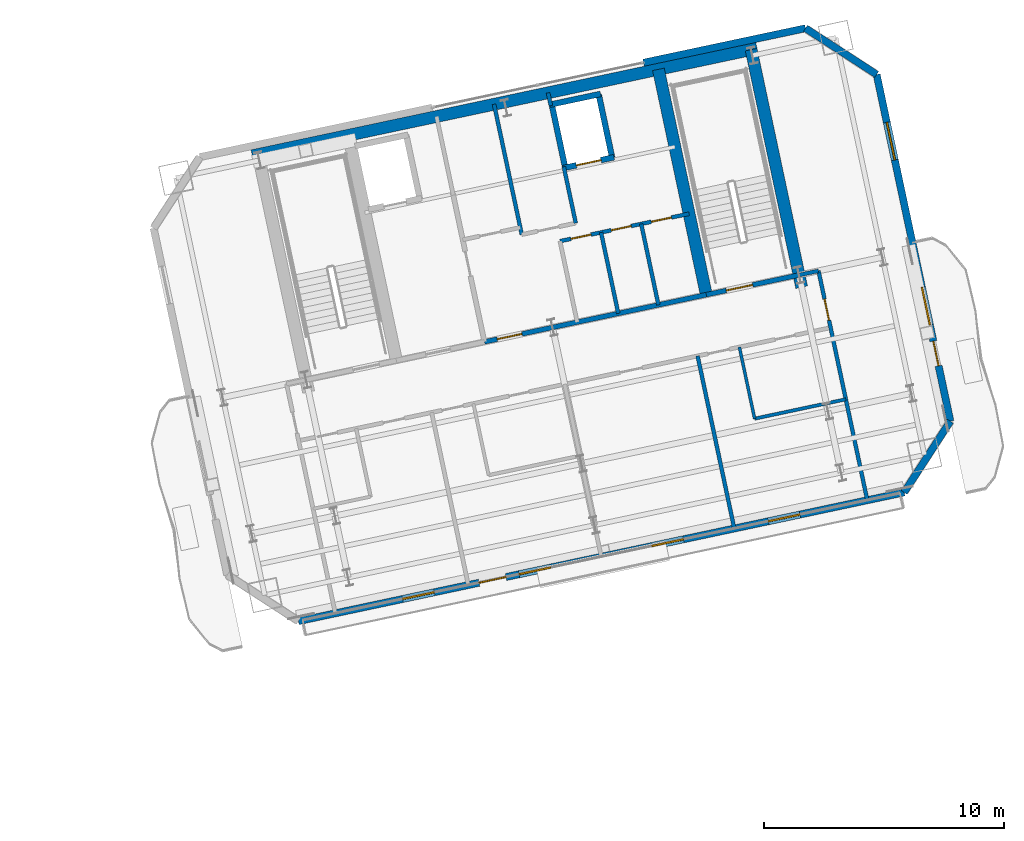
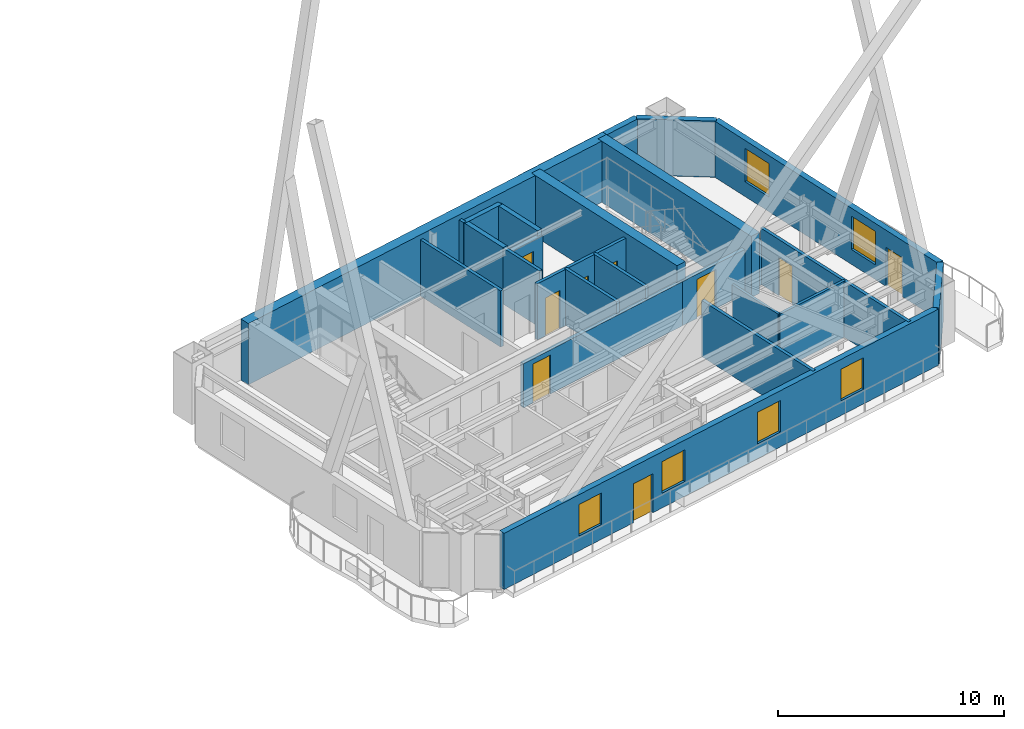
# One storey, part 14 of 20: 25 walls, 9 doors, 6 windows, 15 openings.
"""IFC4 building model written with IfcOpenShell, lengths in metres."""

import ifcopenshell
import ifcopenshell.guid

model = None  # the IFC model being written
_history = None  # IfcOwnerHistory: only IFC2X3 demands one
_inside = {}  # id of a spatial element -> (the spatial element, [elements in it])
_under = {}  # id of a project, library or spatial element -> (it, [spatial elements below it])
_declared = {}  # id of a project -> (the project, [libraries it declares])
_typed = {}  # id of a type object -> (the type object, [elements of that type])
_made_of = {}  # id of a material, layer set ... -> (it, [elements and type objects made of it])


def new_model(schema):
    """Start an empty IFC model of exactly this schema.

    Asked for "IFC4X3", IfcOpenShell would pick the latest addendum, in which some entities
    have other attributes; the version numbers below select the first issue.
    IFC2X3 requires an IfcOwnerHistory on every rooted entity: one is made here for all.
    """
    global model, _history
    if schema == "IFC4X3":
        model = ifcopenshell.file(schema_version=(4, 3, 0, 0))
    else:
        model = ifcopenshell.file(schema=schema)
    _inside.clear()
    _under.clear()
    _declared.clear()
    _typed.clear()
    _made_of.clear()
    _history = None
    if model.schema == "IFC2X3":
        org = make("IfcOrganization", Name="unknown")
        user = make(
            "IfcPersonAndOrganization",
            ThePerson=make("IfcPerson", FamilyName="unknown"),
            TheOrganization=org,
        )
        app = make(
            "IfcApplication",
            ApplicationDeveloper=org,
            Version="unknown",
            ApplicationFullName="unknown",
            ApplicationIdentifier="unknown",
        )
        _history = make(
            "IfcOwnerHistory",
            OwningUser=user,
            OwningApplication=app,
            ChangeAction="ADDED",
            CreationDate=0,
        )
    return model


def make(cls, **values):
    """One entity of the class cls with the attributes given. An attribute that is None is left unset."""
    return model.create_entity(
        cls, **{name: value for name, value in values.items() if value is not None}
    )


def rooted(cls, **values):
    """An entity with a GlobalId (a new one), such as an element, a storey or a relation."""
    return make(cls, GlobalId=ifcopenshell.guid.new(), OwnerHistory=_history, **values)


def si_unit(unit_type, name, prefix=None):
    """IfcSIUnit, for example si_unit("LENGTHUNIT", "METRE", prefix="MILLI")."""
    return make("IfcSIUnit", UnitType=unit_type, Prefix=prefix, Name=name)


def assignment(units):
    """IfcUnitAssignment: the units of a project."""
    return None if units is None else make("IfcUnitAssignment", Units=units)


def point(xyz):
    """IfcCartesianPoint."""
    return None if xyz is None else make("IfcCartesianPoint", Coordinates=xyz)


def direction(xyz):
    """IfcDirection."""
    return None if xyz is None else make("IfcDirection", DirectionRatios=xyz)


def frame(location, z_axis=None, x_axis=None):
    """IfcAxis2Placement3D, a coordinate frame: its origin and axes. An axis left out is left unset."""
    return make(
        "IfcAxis2Placement3D",
        Location=point(location),
        Axis=direction(z_axis),
        RefDirection=direction(x_axis),
    )


def frame_2d(location, x_axis=None):
    """IfcAxis2Placement2D, a coordinate frame in the plane: its origin and x axis."""
    return make(
        "IfcAxis2Placement2D", Location=point(location), RefDirection=direction(x_axis)
    )


def origin():
    """The frame at (0, 0, 0) with its axes left unset."""
    return frame((0.0, 0.0, 0.0))


def place(relative_to, where):
    """IfcLocalPlacement: puts the frame where relative to a parent placement (None: the world)."""
    return make(
        "IfcLocalPlacement", PlacementRelTo=relative_to, RelativePlacement=where
    )


def context(
    kind, dimensions, precision=None, world=None, true_north=None, identifier=None
):
    """IfcGeometricRepresentationContext, for example the 3D "Model" context."""
    return make(
        "IfcGeometricRepresentationContext",
        ContextIdentifier=identifier,
        ContextType=kind,
        CoordinateSpaceDimension=dimensions,
        Precision=precision,
        WorldCoordinateSystem=world,
        TrueNorth=true_north,
    )


def subcontext(parent, identifier, kind, view, scale=None):
    """IfcGeometricRepresentationSubContext, for example "Body" below "Model"."""
    return make(
        "IfcGeometricRepresentationSubContext",
        ContextIdentifier=identifier,
        ContextType=kind,
        ParentContext=parent,
        TargetScale=scale,
        TargetView=view,
    )


def project(units=None, contexts=None):
    """IfcProject with its units and contexts."""
    return rooted(
        "IfcProject",
        Name="project",
        RepresentationContexts=contexts,
        UnitsInContext=assignment(units),
    )


def spatial(cls, under=None, at=None, **own):
    """A site, building, storey or space (cls), placed at a placement, below another one or the project."""
    s = rooted(cls, ObjectPlacement=at, **own)
    if under is not None:
        _under.setdefault(under.id(), (under, []))[1].append(s)
    return s


def profile(cls, at=None, kind="AREA", **sizes):
    """A parametric profile (cls). Its sizes go by their IFC names, for example OverallWidth=200.0."""
    return make(cls, ProfileType=kind, Position=at, **sizes)


def rectangle(**sizes):
    """IfcRectangleProfileDef."""
    return profile("IfcRectangleProfileDef", **sizes)


def extrude(swept, where, along, depth):
    """IfcExtrudedAreaSolid: the profile swept, set in the frame where, extruded along a direction by depth."""
    return make(
        "IfcExtrudedAreaSolid",
        SweptArea=swept,
        Position=where,
        ExtrudedDirection=direction(along),
        Depth=depth,
    )


def shape(context_of_items, identifier, shape_type, items):
    """IfcShapeRepresentation: the items that make up one representation, for example the "Body"."""
    return make(
        "IfcShapeRepresentation",
        ContextOfItems=context_of_items,
        RepresentationIdentifier=identifier,
        RepresentationType=shape_type,
        Items=items,
    )


def material(Name=None, Category=None):
    """IfcMaterial."""
    return make("IfcMaterial", Name=Name, Category=Category)


def layer(
    of_material, thickness, ventilated=None, Name=None, Category=None, Priority=None
):
    """IfcMaterialLayer: one layer of a wall or slab, of a material (None: an air gap)."""
    return make(
        "IfcMaterialLayer",
        Material=of_material,
        LayerThickness=thickness,
        IsVentilated=ventilated,
        Name=Name,
        Category=Category,
        Priority=Priority,
    )


def layer_set(layers, Name=None):
    """IfcMaterialLayerSet."""
    return make("IfcMaterialLayerSet", MaterialLayers=layers, LayerSetName=Name)


def made_of(thing, what):
    """Note that an element or type object is made of a material, layer set ...; save() writes the relation."""
    if what is not None:
        _made_of.setdefault(what.id(), (what, []))[1].append(thing)
    return thing


def type_object(cls, material=None, **own):
    """A type object (cls), such as IfcWallType, which elements share."""
    return made_of(rooted(cls, **own), material)


def element(
    cls,
    number,
    at=None,
    inside=None,
    cuts=None,
    type_object=None,
    material=None,
    context=None,
    identifier="Body",
    shape_type=None,
    held_by="IfcProductDefinitionShape",
    body=None,
    shapes=None,
    **own,
):
    """One element of the class cls, such as IfcWall. Its Tag is "e" and its number.

    at: its placement. inside: the storey or other place that contains it. cuts: it is an
    opening in that element (IfcRelVoidsElement). A single representation is given by context,
    identifier, shape_type and body (its items); several are given by shapes. held_by: the class
    of the entity that holds the representations. save() writes the other relations.
    """
    e = rooted(cls, Tag="e%d" % number, ObjectPlacement=at, **own)
    if body is not None:
        shapes = [shape(context, identifier, shape_type, body)]
    if shapes is not None:
        e.Representation = make(held_by, Representations=shapes)
    if inside is not None:
        _inside.setdefault(inside.id(), (inside, []))[1].append(e)
    if cuts is not None:
        rooted(
            "IfcRelVoidsElement", RelatingBuildingElement=cuts, RelatedOpeningElement=e
        )
    if type_object is not None:
        _typed.setdefault(type_object.id(), (type_object, []))[1].append(e)
    return made_of(e, material)


def fill(opening, filler):
    """IfcRelFillsElement: the door or window that sits in an opening."""
    return rooted(
        "IfcRelFillsElement",
        RelatingOpeningElement=opening,
        RelatedBuildingElement=filler,
    )


def aggregate(whole, parts):
    """IfcRelAggregates: a whole, such as a stair, and the parts it consists of."""
    return rooted("IfcRelAggregates", RelatingObject=whole, RelatedObjects=parts)


def save(model, path):
    """Write the relations noted so far, then the file.

    IfcRelAggregates (storeys below a building ...), IfcRelContainedInSpatialStructure (elements
    in a storey), IfcRelDefinesByType, IfcRelAssociatesMaterial and IfcRelDeclares: one each for
    every whole, place, type object, material and project.
    """
    for whole, parts in _under.values():
        aggregate(whole, parts)
    for where, things in _inside.values():
        rooted(
            "IfcRelContainedInSpatialStructure",
            RelatedElements=things,
            RelatingStructure=where,
        )
    for kind, things in _typed.values():
        rooted("IfcRelDefinesByType", RelatedObjects=things, RelatingType=kind)
    for what, things in _made_of.values():
        rooted("IfcRelAssociatesMaterial", RelatedObjects=things, RelatingMaterial=what)
    for by, libraries in _declared.values():
        rooted("IfcRelDeclares", RelatingContext=by, RelatedDefinitions=libraries)
    model.write(path)


model = new_model("IFC4")

# Units and contexts
model_context = context("Model", 3, precision=1e-05, world=origin(), true_north=direction((0.0, 1.0)))
body_context = subcontext(model_context, "Body", "Model", "MODEL_VIEW")
ifc_project = project(units=[si_unit("LENGTHUNIT", "METRE"), si_unit("AREAUNIT", "SQUARE_METRE"), si_unit("VOLUMEUNIT", "CUBIC_METRE"), si_unit("PLANEANGLEUNIT", "RADIAN"), si_unit("MASSUNIT", "GRAM", prefix="KILO")], contexts=[model_context])

# Site, building, storey
site_placement = place(None, origin())
site = spatial("IfcSite", under=ifc_project, at=site_placement, CompositionType="ELEMENT")
building_placement = place(site_placement, origin())
building = spatial("IfcBuilding", under=site, at=building_placement, Name="Haevon Station Towers", CompositionType="ELEMENT")
storey_placement = place(building_placement, frame((0.0, 0.0, 175.800048828125)))
storey = spatial("IfcBuildingStorey", under=building, at=storey_placement, Name="L48", CompositionType="ELEMENT", Elevation=175.800048828125)

# Wall, opening, door
ifc_material_1 = material(Name="Gypsum board on steel stud", Category="steel")
ifc_layer_1 = layer(ifc_material_1, 0.199951171875)
ifc_layer_set_1 = layer_set([ifc_layer_1], Name="Gypsum board on steel stud")
wall_type_1 = type_object("IfcWallType", Name="WL-COR200", PredefinedType="PARTITIONING", material=ifc_layer_set_1)
wall_1_placement = place(storey_placement, frame((115.4296875, 40.9873046875, 0.0), z_axis=(0.0, 0.0, 1.0), x_axis=(0.978146596989, 0.207916413008, 0.0)))
wall_1 = element("IfcWall", 1, at=wall_1_placement, inside=storey, type_object=wall_type_1, Name="WL-ST-ST4-L48", PredefinedType="PARTITIONING", context=body_context, shape_type="SweptSolid", body=[
    extrude(rectangle(XDim=3.9501953125, YDim=0.199951171875, at=frame_2d((1.97509765625, 0.0))), origin(), (0.0, 0.0, 1.0), 2.3798828125),
])
opening_1_placement = place(wall_1_placement, frame((0.85009765625, 0.0, 0.0)))
opening_1 = element("IfcOpeningElement", 2, at=opening_1_placement, cuts=wall_1, Name="Opening DR-ST-ST4-L48", PredefinedType="OPENING", context=body_context, shape_type="SweptSolid", body=[
    extrude(rectangle(XDim=1.1201171875, YDim=2.10009765625, at=frame_2d((0.56005859375, 1.050048828125))), frame((0.0, 0.10986328125, 0.0), z_axis=(0.0, -1.0, 0.0), x_axis=(1.0, 0.0, 0.0)), (0.0, 0.0, 1.0), 0.219970703125),
])
ifc_material_2 = material(Name="Engineered oak timber", Category="wood")
door_type_1 = type_object("IfcDoorType", Name="DR-ST-1120", OperationType="NOTDEFINED", PredefinedType="DOOR", material=ifc_material_2)
door_1_placement = place(opening_1_placement, origin())
door_1 = element("IfcDoor", 3, at=door_1_placement, inside=storey, type_object=door_type_1, Name="L48 Escape Stair ST4 Fire Door", OperationType="SINGLE_SWING_RIGHT", OverallHeight=2.10009765625, OverallWidth=1.1201171875, PredefinedType="DOOR", context=body_context, shape_type="SweptSolid", body=[
    extrude(rectangle(XDim=1.1201171875, YDim=2.10009765625, at=frame_2d((0.56005859375, 1.050048828125))), frame((0.0, 0.02490234375, 0.0), z_axis=(0.0, -1.0, 0.0), x_axis=(1.0, 0.0, 0.0)), (0.0, 0.0, 1.0), 0.050048828125),
])
fill(opening_1, door_1)

wall_2_placement = place(storey_placement, frame((106.186279296875, 39.0224609375, 0.0), z_axis=(0.0, 0.0, 1.0), x_axis=(0.978145519981, 0.20792147975, 0.0)))
wall_2 = element("IfcWall", 4, at=wall_2_placement, inside=storey, type_object=wall_type_1, Name="WL-T2CLB-L48", PredefinedType="PARTITIONING", context=body_context, shape_type="SweptSolid", body=[
    extrude(rectangle(XDim=9.449951171875, YDim=0.199951171875, at=frame_2d((4.72509765625, 0.0))), origin(), (0.0, 0.0, 1.0), 2.3798828125),
])
opening_2_placement = place(wall_2_placement, frame((0.550048828125, 0.0, 0.0)))
opening_2 = element("IfcOpeningElement", 5, at=opening_2_placement, cuts=wall_2, Name="Opening DR-T2CLB-L48-1", PredefinedType="OPENING", context=body_context, shape_type="SweptSolid", body=[
    extrude(rectangle(XDim=1.050048828125, YDim=2.10009765625, at=frame_2d((0.52490234375, 1.050048828125))), frame((0.0, 0.10986328125, 0.0), z_axis=(0.0, -1.0, 0.0), x_axis=(1.0, 0.0, 0.0)), (0.0, 0.0, 1.0), 0.219970703125),
])
door_type_2 = type_object("IfcDoorType", Name="DR-FD60-1050", OperationType="NOTDEFINED", PredefinedType="DOOR", material=ifc_material_2)
door_2_placement = place(opening_2_placement, origin())
door_2 = element("IfcDoor", 6, at=door_2_placement, inside=storey, type_object=door_type_2, Name="L48 Tower 2 Core Lift Lobby Door 1", OperationType="SINGLE_SWING_LEFT", OverallHeight=2.10009765625, OverallWidth=1.050048828125, PredefinedType="DOOR", context=body_context, shape_type="SweptSolid", body=[
    extrude(rectangle(XDim=1.050048828125, YDim=2.10009765625, at=frame_2d((0.52490234375, 1.050048828125))), frame((0.0, 0.02490234375, 0.0), z_axis=(0.0, -1.0, 0.0), x_axis=(1.0, 0.0, 0.0)), (0.0, 0.0, 1.0), 0.050048828125),
])
fill(opening_2, door_2)

# Walls
ifc_material_3 = material(Name="Concrete C60/75", Category="concrete")
ifc_layer_2 = layer(ifc_material_3, 0.5)
ifc_layer_set_2 = layer_set([ifc_layer_2], Name="Concrete C60/75")
wall_type_2 = type_object("IfcWallType", Name="WL-CR500", PredefinedType="SHEAR", material=ifc_layer_set_2)
wall_3_placement = place(storey_placement, frame((96.511962890625, 46.78076171875, 0.0), z_axis=(0.0, 0.0, 1.0), x_axis=(0.978148546782, 0.207907239961, 0.0)))
element("IfcWall", 7, at=wall_3_placement, inside=storey, type_object=wall_type_2, Name="WL-T2CR-L48-N", PredefinedType="SHEAR", context=body_context, shape_type="SweptSolid", body=[
    extrude(rectangle(XDim=21.499755859375, YDim=0.5, at=frame_2d((10.75, 0.0))), origin(), (0.0, 0.0, 1.0), 3.300048828125),
])
wall_4_placement = place(storey_placement, frame((119.401611328125, 41.2998046875, 0.0), z_axis=(0.0, 0.0, 1.0), x_axis=(-0.207904342798, 0.978149162575, 0.0)))
element("IfcWall", 8, at=wall_4_placement, inside=storey, type_object=wall_type_2, Name="WL-T2CR-L48-E", PredefinedType="SHEAR", context=body_context, shape_type="SweptSolid", body=[
    extrude(rectangle(XDim=10.1201171875, YDim=0.5, at=frame_2d((5.06005859375, 0.0))), origin(), (0.0, 0.0, 1.0), 3.300048828125),
])
wall_5_placement = place(storey_placement, frame((115.4296875, 40.9873046875, 0.0), z_axis=(0.0, 0.0, 1.0), x_axis=(-0.207903162969, 0.978149413345, 0.0)))
element("IfcWall", 9, at=wall_5_placement, inside=storey, type_object=wall_type_2, Name="WL-T2CR-L48-M2", PredefinedType="SHEAR", context=body_context, shape_type="SweptSolid", body=[
    extrude(rectangle(XDim=9.599853515625, YDim=0.5, at=frame_2d((4.7998046875, 0.0))), origin(), (0.0, 0.0, 1.0), 3.300048828125),
])

# Wall, openings, door, windows
ifc_material_4 = material(Name="Precast concrete C45/55", Category="concrete")
ifc_layer_3 = layer(ifc_material_4, 0.300048828125)
ifc_layer_set_3 = layer_set([ifc_layer_3], Name="Precast concrete C45/55")
wall_type_3 = type_object("IfcWallType", Name="WL-EXT-PIER300", PredefinedType="SOLIDWALL", material=ifc_layer_set_3)
wall_6_placement = place(storey_placement, frame((123.67236328125, 32.7509765625, 0.0), z_axis=(0.0, 0.0, 1.0), x_axis=(-0.978148652743, -0.207906741442, 0.0)))
wall_6 = element("IfcWall", 10, at=wall_6_placement, inside=storey, type_object=wall_type_3, Name="WL-T2-L48-S", PredefinedType="SOLIDWALL", context=body_context, shape_type="SweptSolid", body=[
    extrude(rectangle(XDim=25.800048828125, YDim=0.300048828125, at=frame_2d((12.89990234375, 0.0))), origin(), (0.0, 0.0, 1.0), 3.030029296875),
])
opening_3_placement = place(wall_6_placement, frame((16.957763671875, 0.0, 0.0)))
opening_3 = element("IfcOpeningElement", 11, at=opening_3_placement, cuts=wall_6, Name="Opening DR-T2-SKYG-L48", PredefinedType="OPENING", context=body_context, shape_type="SweptSolid", body=[
    extrude(rectangle(XDim=1.14990234375, YDim=2.10009765625, at=frame_2d((0.574951171875, 1.050048828125))), frame((0.0, 0.159912109375, 0.0), z_axis=(0.0, -1.0, 0.0), x_axis=(1.0, 0.0, 0.0)), (0.0, 0.0, 1.0), 0.320068359375),
])
opening_4_placement = place(wall_6_placement, frame((20.011474609375, 0.0, 0.800048828125)))
opening_4 = element("IfcOpeningElement", 12, at=opening_4_placement, cuts=wall_6, Name="Opening WN-P135", PredefinedType="OPENING", context=body_context, shape_type="SweptSolid", body=[
    extrude(rectangle(XDim=1.35009765625, YDim=1.699951171875, at=frame_2d((0.675048828125, 0.85009765625))), frame((0.0, 0.159912109375, 0.0), z_axis=(0.0, -1.0, 0.0), x_axis=(1.0, 0.0, 0.0)), (0.0, 0.0, 1.0), 0.320068359375),
])
opening_5_placement = place(wall_6_placement, frame((15.0576171875, 0.0, 0.800048828125)))
opening_5 = element("IfcOpeningElement", 13, at=opening_5_placement, cuts=wall_6, Name="Opening WN-P135", PredefinedType="OPENING", context=body_context, shape_type="SweptSolid", body=[
    extrude(rectangle(XDim=1.35009765625, YDim=1.699951171875, at=frame_2d((0.675048828125, 0.85009765625))), frame((0.0, 0.159912109375, 0.0), z_axis=(0.0, -1.0, 0.0), x_axis=(1.0, 0.0, 0.0)), (0.0, 0.0, 1.0), 0.320068359375),
])
opening_6_placement = place(wall_6_placement, frame((9.392578125, 0.0, 0.800048828125)))
opening_6 = element("IfcOpeningElement", 14, at=opening_6_placement, cuts=wall_6, Name="Opening WN-P135", PredefinedType="OPENING", context=body_context, shape_type="SweptSolid", body=[
    extrude(rectangle(XDim=1.35009765625, YDim=1.699951171875, at=frame_2d((0.675048828125, 0.85009765625))), frame((0.0, 0.159912109375, 0.0), z_axis=(0.0, -1.0, 0.0), x_axis=(1.0, 0.0, 0.0)), (0.0, 0.0, 1.0), 0.320068359375),
])
opening_7_placement = place(wall_6_placement, frame((4.4384765625, 0.0, 0.800048828125)))
opening_7 = element("IfcOpeningElement", 15, at=opening_7_placement, cuts=wall_6, Name="Opening WN-P135", PredefinedType="OPENING", context=body_context, shape_type="SweptSolid", body=[
    extrude(rectangle(XDim=1.35009765625, YDim=1.699951171875, at=frame_2d((0.675048828125, 0.85009765625))), frame((0.0, 0.159912109375, 0.0), z_axis=(0.0, -1.0, 0.0), x_axis=(1.0, 0.0, 0.0)), (0.0, 0.0, 1.0), 0.320068359375),
])
ifc_material_5 = material(Name="Thermally broken anodised aluminium and laminated safety glass", Category="aluminium")
door_type_3 = type_object("IfcDoorType", Name="DR-BALC-1150", OperationType="NOTDEFINED", PredefinedType="DOOR", material=ifc_material_5)
door_3_placement = place(opening_3_placement, origin())
door_3 = element("IfcDoor", 16, at=door_3_placement, inside=storey, type_object=door_type_3, Name="Tower 2 L48 Sky Garden Terrace Door", OperationType="SINGLE_SWING_RIGHT", OverallHeight=2.10009765625, OverallWidth=1.14990234375, PredefinedType="DOOR", context=body_context, shape_type="SweptSolid", body=[
    extrude(rectangle(XDim=1.14990234375, YDim=2.10009765625, at=frame_2d((0.574951171875, 1.050048828125))), frame((0.0, 0.02490234375, 0.0), z_axis=(0.0, -1.0, 0.0), x_axis=(1.0, 0.0, 0.0)), (0.0, 0.0, 1.0), 0.050048828125),
])
fill(opening_3, door_3)
ifc_material_6 = material(Name="Low-E triple glazing in thermally broken aluminium", Category="aluminium")
window_type_1 = type_object("IfcWindowType", Name="WN-P135", PartitioningType="SINGLE_PANEL", PredefinedType="WINDOW", material=ifc_material_6)
window_1_placement = place(opening_4_placement, origin())
window_1 = element("IfcWindow", 17, at=window_1_placement, inside=storey, type_object=window_type_1, Name="WN-T2-L48-S01", OverallHeight=1.699951171875, OverallWidth=1.35009765625, PartitioningType="SINGLE_PANEL", PredefinedType="WINDOW", context=body_context, shape_type="SweptSolid", body=[
    extrude(rectangle(XDim=1.35009765625, YDim=1.699951171875, at=frame_2d((0.675048828125, 0.85009765625))), frame((0.0, 0.030029296875, 0.0), z_axis=(0.0, -1.0, 0.0), x_axis=(1.0, 0.0, 0.0)), (0.0, 0.0, 1.0), 0.06005859375),
])
fill(opening_4, window_1)
window_2_placement = place(opening_5_placement, origin())
window_2 = element("IfcWindow", 18, at=window_2_placement, inside=storey, type_object=window_type_1, Name="WN-T2-L48-S02", OverallHeight=1.699951171875, OverallWidth=1.35009765625, PartitioningType="SINGLE_PANEL", PredefinedType="WINDOW", context=body_context, shape_type="SweptSolid", body=[
    extrude(rectangle(XDim=1.35009765625, YDim=1.699951171875, at=frame_2d((0.675048828125, 0.85009765625))), frame((0.0, 0.030029296875, 0.0), z_axis=(0.0, -1.0, 0.0), x_axis=(1.0, 0.0, 0.0)), (0.0, 0.0, 1.0), 0.06005859375),
])
fill(opening_5, window_2)
window_3_placement = place(opening_6_placement, origin())
window_3 = element("IfcWindow", 19, at=window_3_placement, inside=storey, type_object=window_type_1, Name="WN-T2-L48-S03", OverallHeight=1.699951171875, OverallWidth=1.35009765625, PartitioningType="SINGLE_PANEL", PredefinedType="WINDOW", context=body_context, shape_type="SweptSolid", body=[
    extrude(rectangle(XDim=1.35009765625, YDim=1.699951171875, at=frame_2d((0.675048828125, 0.85009765625))), frame((0.0, 0.030029296875, 0.0), z_axis=(0.0, -1.0, 0.0), x_axis=(1.0, 0.0, 0.0)), (0.0, 0.0, 1.0), 0.06005859375),
])
fill(opening_6, window_3)
window_4_placement = place(opening_7_placement, origin())
window_4 = element("IfcWindow", 20, at=window_4_placement, inside=storey, type_object=window_type_1, Name="WN-T2-L48-S04", OverallHeight=1.699951171875, OverallWidth=1.35009765625, PartitioningType="SINGLE_PANEL", PredefinedType="WINDOW", context=body_context, shape_type="SweptSolid", body=[
    extrude(rectangle(XDim=1.35009765625, YDim=1.699951171875, at=frame_2d((0.675048828125, 0.85009765625))), frame((0.0, 0.030029296875, 0.0), z_axis=(0.0, -1.0, 0.0), x_axis=(1.0, 0.0, 0.0)), (0.0, 0.0, 1.0), 0.06005859375),
])
fill(opening_7, window_4)

# Walls
wall_7_placement = place(storey_placement, frame((112.812744140625, 50.654541015625, 0.0), z_axis=(0.0, 0.0, 1.0), x_axis=(0.978146978935, 0.207914616127, 0.0)))
element("IfcWall", 21, at=wall_7_placement, inside=storey, type_object=wall_type_3, Name="WL-T2-L48-N2", PredefinedType="SOLIDWALL", context=body_context, shape_type="SweptSolid", body=[
    extrude(rectangle(XDim=6.89990234375, YDim=0.300048828125, at=frame_2d((3.449951171875, 0.0))), origin(), (0.0, 0.0, 1.0), 3.030029296875),
])
wall_8_placement = place(storey_placement, frame((119.561767578125, 52.089111328125, 0.0), z_axis=(0.0, 0.0, 1.0), x_axis=(0.838661251934, -0.544653380146, 0.0)))
element("IfcWall", 22, at=wall_8_placement, inside=storey, type_object=wall_type_3, Name="WL-T2-L48-NEC", PredefinedType="SOLIDWALL", context=body_context, shape_type="SweptSolid", body=[
    extrude(rectangle(XDim=3.535888671875, YDim=0.300048828125, at=frame_2d((1.76806640625, 0.0))), origin(), (0.0, 0.0, 1.0), 3.030029296875),
])

# Wall, openings, door, windows
wall_9_placement = place(storey_placement, frame((122.527099609375, 50.163330078125, 0.0), z_axis=(0.0, 0.0, 1.0), x_axis=(0.207911144611, -0.978147716834, 0.0)))
wall_9 = element("IfcWall", 23, at=wall_9_placement, inside=storey, type_object=wall_type_3, Name="WL-T2-L48-E", PredefinedType="SOLIDWALL", context=body_context, shape_type="SweptSolid", body=[
    extrude(rectangle(XDim=14.769775390625, YDim=0.300048828125, at=frame_2d((7.384765625, 0.0))), origin(), (0.0, 0.0, 1.0), 3.030029296875),
])
opening_8_placement = place(wall_9_placement, frame((11.360107421875, 0.0, 0.0)))
opening_8 = element("IfcOpeningElement", 24, at=opening_8_placement, cuts=wall_9, Name="Opening DR-T2-SCAL-L48-E", PredefinedType="OPENING", context=body_context, shape_type="SweptSolid", body=[
    extrude(rectangle(XDim=1.050048828125, YDim=2.10009765625, at=frame_2d((0.52490234375, 1.050048828125))), frame((0.0, 0.159912109375, 0.0), z_axis=(0.0, -1.0, 0.0), x_axis=(1.0, 0.0, 0.0)), (0.0, 0.0, 1.0), 0.320068359375),
])
opening_9_placement = place(wall_9_placement, frame((2.03955078125, 0.0, 0.800048828125)))
opening_9 = element("IfcOpeningElement", 25, at=opening_9_placement, cuts=wall_9, Name="Opening WN-END160", PredefinedType="OPENING", context=body_context, shape_type="SweptSolid", body=[
    extrude(rectangle(XDim=1.60009765625, YDim=1.800048828125, at=frame_2d((0.800048828125, 0.89990234375))), frame((0.0, 0.159912109375, 0.0), z_axis=(0.0, -1.0, 0.0), x_axis=(1.0, 0.0, 0.0)), (0.0, 0.0, 1.0), 0.320068359375),
])
opening_10_placement = place(wall_9_placement, frame((9.064208984375, 0.0, 0.800048828125)))
opening_10 = element("IfcOpeningElement", 26, at=opening_10_placement, cuts=wall_9, Name="Opening WN-END160", PredefinedType="OPENING", context=body_context, shape_type="SweptSolid", body=[
    extrude(rectangle(XDim=1.60009765625, YDim=1.800048828125, at=frame_2d((0.800048828125, 0.89990234375))), frame((0.0, 0.159912109375, 0.0), z_axis=(0.0, -1.0, 0.0), x_axis=(1.0, 0.0, 0.0)), (0.0, 0.0, 1.0), 0.320068359375),
])
door_type_4 = type_object("IfcDoorType", Name="DR-BALC-1050", OperationType="NOTDEFINED", PredefinedType="DOOR", material=ifc_material_5)
door_4_placement = place(opening_8_placement, origin())
door_4 = element("IfcDoor", 27, at=door_4_placement, inside=storey, type_object=door_type_4, Name="Tower 2 L48 East Scalloped Balcony Door", OperationType="SINGLE_SWING_RIGHT", OverallHeight=2.10009765625, OverallWidth=1.050048828125, PredefinedType="DOOR", context=body_context, shape_type="SweptSolid", body=[
    extrude(rectangle(XDim=1.050048828125, YDim=2.10009765625, at=frame_2d((0.52490234375, 1.050048828125))), frame((0.0, 0.02490234375, 0.0), z_axis=(0.0, -1.0, 0.0), x_axis=(1.0, 0.0, 0.0)), (0.0, 0.0, 1.0), 0.050048828125),
])
fill(opening_8, door_4)
window_type_2 = type_object("IfcWindowType", Name="WN-END160", PartitioningType="SINGLE_PANEL", PredefinedType="WINDOW", material=ifc_material_6)
window_5_placement = place(opening_9_placement, origin())
window_5 = element("IfcWindow", 28, at=window_5_placement, inside=storey, type_object=window_type_2, Name="WN-T2-L48-E01", OverallHeight=1.800048828125, OverallWidth=1.60009765625, PartitioningType="SINGLE_PANEL", PredefinedType="WINDOW", context=body_context, shape_type="SweptSolid", body=[
    extrude(rectangle(XDim=1.60009765625, YDim=1.800048828125, at=frame_2d((0.800048828125, 0.89990234375))), frame((0.0, 0.030029296875, 0.0), z_axis=(0.0, -1.0, 0.0), x_axis=(1.0, 0.0, 0.0)), (0.0, 0.0, 1.0), 0.06005859375),
])
fill(opening_9, window_5)
window_6_placement = place(opening_10_placement, origin())
window_6 = element("IfcWindow", 29, at=window_6_placement, inside=storey, type_object=window_type_2, Name="WN-T2-L48-E02", OverallHeight=1.800048828125, OverallWidth=1.60009765625, PartitioningType="SINGLE_PANEL", PredefinedType="WINDOW", context=body_context, shape_type="SweptSolid", body=[
    extrude(rectangle(XDim=1.60009765625, YDim=1.800048828125, at=frame_2d((0.800048828125, 0.89990234375))), frame((0.0, 0.030029296875, 0.0), z_axis=(0.0, -1.0, 0.0), x_axis=(1.0, 0.0, 0.0)), (0.0, 0.0, 1.0), 0.06005859375),
])
fill(opening_10, window_6)

# Walls
wall_10_placement = place(storey_placement, frame((125.597900390625, 35.71630859375, 0.0), z_axis=(0.0, 0.0, 1.0), x_axis=(-0.544604812064, -0.838692791597, 0.0)))
element("IfcWall", 30, at=wall_10_placement, inside=storey, type_object=wall_type_3, Name="WL-T2-L48-SEC", PredefinedType="SOLIDWALL", context=body_context, shape_type="SweptSolid", body=[
    extrude(rectangle(XDim=3.53564453125, YDim=0.300048828125, at=frame_2d((1.767822265625, 0.0))), origin(), (0.0, 0.0, 1.0), 3.030029296875),
])
ifc_layer_4 = layer(ifc_material_1, 0.125)
ifc_layer_set_4 = layer_set([ifc_layer_4], Name="Gypsum board on steel stud")
wall_type_4 = type_object("IfcWallType", Name="WL-PRT125", PredefinedType="PARTITIONING", material=ifc_layer_set_4)
wall_11_placement = place(storey_placement, frame((117.4423828125, 35.822998046875, 0.0), z_axis=(0.0, 0.0, 1.0), x_axis=(-0.207894179953, 0.978151322619, 0.0)))
element("IfcWall", 31, at=wall_11_placement, inside=storey, type_object=wall_type_4, Name="WL-T2PT-L48-13", PredefinedType="PARTITIONING", context=body_context, shape_type="SweptSolid", body=[
    extrude(rectangle(XDim=3.0498046875, YDim=0.125, at=frame_2d((1.52490234375, 0.0))), origin(), (0.0, 0.0, 1.0), 3.030029296875),
])
ifc_layer_5 = layer(ifc_material_1, 0.139892578125)
ifc_layer_set_5 = layer_set([ifc_layer_5], Name="Gypsum board on steel stud")
wall_type_5 = type_object("IfcWallType", Name="WL-PRT140", PredefinedType="PARTITIONING", material=ifc_layer_set_5)
wall_12_placement = place(storey_placement, frame((117.4423828125, 35.822998046875, 0.0), z_axis=(0.0, 0.0, 1.0), x_axis=(0.978155976132, 0.207872283762, 0.0)))
element("IfcWall", 32, at=wall_12_placement, inside=storey, type_object=wall_type_5, Name="WL-T2PT-L48-12", PredefinedType="PARTITIONING", context=body_context, shape_type="SweptSolid", body=[
    extrude(rectangle(XDim=3.88525390625, YDim=0.139892578125, at=frame_2d((1.942626953125, 0.0))), origin(), (0.0, 0.0, 1.0), 3.030029296875),
])
ifc_layer_6 = layer(ifc_material_1, 0.159912109375)
ifc_layer_set_6 = layer_set([ifc_layer_6], Name="Gypsum board on steel stud")
wall_type_6 = type_object("IfcWallType", Name="WL-PRT160", PredefinedType="PARTITIONING", material=ifc_layer_set_6)
wall_13_placement = place(storey_placement, frame((107.74072265625, 43.493408203125, 0.0), z_axis=(0.0, 0.0, 1.0), x_axis=(-0.207936619013, 0.97814230175, 0.0)))
element("IfcWall", 33, at=wall_13_placement, inside=storey, type_object=wall_type_6, Name="WL-T2CW-L48-03", PredefinedType="PARTITIONING", context=body_context, shape_type="SweptSolid", body=[
    extrude(rectangle(XDim=5.550048828125, YDim=0.159912109375, at=frame_2d((2.77490234375, 0.0))), origin(), (0.0, 0.0, 1.0), 3.030029296875),
])
wall_14_placement = place(storey_placement, frame((109.990478515625, 43.9716796875, 0.0), z_axis=(0.0, 0.0, 1.0), x_axis=(-0.207937840262, 0.978142042133, 0.0)))
element("IfcWall", 34, at=wall_14_placement, inside=storey, type_object=wall_type_6, Name="WL-T2CW-L48-05", PredefinedType="PARTITIONING", context=body_context, shape_type="SweptSolid", body=[
    extrude(rectangle(XDim=2.39990234375, YDim=0.159912109375, at=frame_2d((1.199951171875, 0.0))), origin(), (0.0, 0.0, 1.0), 3.030029296875),
])
wall_15_placement = place(storey_placement, frame((108.950927734375, 48.8623046875, 0.0), z_axis=(0.0, 0.0, 1.0), x_axis=(-0.208134744237, 0.978100162683, 0.0)))
element("IfcWall", 35, at=wall_15_placement, inside=storey, type_object=wall_type_6, Name="WL-T2CW-L48-06", PredefinedType="PARTITIONING", context=body_context, shape_type="SweptSolid", body=[
    extrude(rectangle(XDim=0.550048828125, YDim=0.159912109375, at=frame_2d((0.27490234375, 0.0))), origin(), (0.0, 0.0, 1.0), 3.030029296875),
])
wall_16_placement = place(storey_placement, frame((111.76171875, 40.20751953125, 0.0), z_axis=(0.0, 0.0, 1.0), x_axis=(-0.207900225061, 0.978150037785, 0.0)))
element("IfcWall", 36, at=wall_16_placement, inside=storey, type_object=wall_type_6, Name="WL-T2CW-L48-08", PredefinedType="PARTITIONING", context=body_context, shape_type="SweptSolid", body=[
    extrude(rectangle(XDim=3.4501953125, YDim=0.159912109375, at=frame_2d((1.72509765625, 0.0))), origin(), (0.0, 0.0, 1.0), 3.030029296875),
])
wall_17_placement = place(storey_placement, frame((113.434326171875, 40.563232421875, 0.0), z_axis=(0.0, 0.0, 1.0), x_axis=(-0.207914616127, 0.978146978935, 0.0)))
element("IfcWall", 37, at=wall_17_placement, inside=storey, type_object=wall_type_6, Name="WL-T2CW-L48-09", PredefinedType="PARTITIONING", context=body_context, shape_type="SweptSolid", body=[
    extrude(rectangle(XDim=3.449951171875, YDim=0.159912109375, at=frame_2d((1.72509765625, 0.0))), origin(), (0.0, 0.0, 1.0), 3.030029296875),
])

# Wall, openings, doors
wall_18_placement = place(storey_placement, frame((109.332763671875, 43.218505859375, 0.0), z_axis=(0.0, 0.0, 1.0), x_axis=(0.978153773776, 0.207882646816, 0.0)))
wall_18 = element("IfcWall", 38, at=wall_18_placement, inside=storey, type_object=wall_type_6, Name="WL-T2CW-L48-10", PredefinedType="PARTITIONING", context=body_context, shape_type="SweptSolid", body=[
    extrude(rectangle(XDim=5.499755859375, YDim=0.159912109375, at=frame_2d((2.75, 0.0))), origin(), (0.0, 0.0, 1.0), 3.030029296875),
])
opening_11_placement = place(wall_18_placement, frame((0.469970703125, 0.0, 0.0)))
opening_11 = element("IfcOpeningElement", 39, at=opening_11_placement, cuts=wall_18, Name="Opening DR-WL-T2CW-L48-10-1", PredefinedType="OPENING", context=body_context, shape_type="SweptSolid", body=[
    extrude(rectangle(XDim=0.85009765625, YDim=2.050048828125, at=frame_2d((0.425048828125, 1.02490234375))), frame((0.0, 0.08984375, 0.0), z_axis=(0.0, -1.0, 0.0), x_axis=(1.0, 0.0, 0.0)), (0.0, 0.0, 1.0), 0.179931640625),
])
opening_12_placement = place(wall_18_placement, frame((2.179931640625, 0.0, 0.0)))
opening_12 = element("IfcOpeningElement", 40, at=opening_12_placement, cuts=wall_18, Name="Opening DR-WL-T2CW-L48-10-2", PredefinedType="OPENING", context=body_context, shape_type="SweptSolid", body=[
    extrude(rectangle(XDim=0.85009765625, YDim=2.050048828125, at=frame_2d((0.425048828125, 1.02490234375))), frame((0.0, 0.08984375, 0.0), z_axis=(0.0, -1.0, 0.0), x_axis=(1.0, 0.0, 0.0)), (0.0, 0.0, 1.0), 0.179931640625),
])
opening_13_placement = place(wall_18_placement, frame((3.89501953125, 0.0, 0.0)))
opening_13 = element("IfcOpeningElement", 41, at=opening_13_placement, cuts=wall_18, Name="Opening DR-WL-T2CW-L48-10-3", PredefinedType="OPENING", context=body_context, shape_type="SweptSolid", body=[
    extrude(rectangle(XDim=0.85009765625, YDim=2.050048828125, at=frame_2d((0.425048828125, 1.02490234375))), frame((0.0, 0.08984375, 0.0), z_axis=(0.0, -1.0, 0.0), x_axis=(1.0, 0.0, 0.0)), (0.0, 0.0, 1.0), 0.179931640625),
])
door_type_5 = type_object("IfcDoorType", Name="DR-FD30-850", OperationType="NOTDEFINED", PredefinedType="DOOR", material=ifc_material_2)
door_5_placement = place(opening_11_placement, origin())
door_5 = element("IfcDoor", 42, at=door_5_placement, inside=storey, type_object=door_type_5, Name="L48 Tower 2 Core Room Door 10-1", OperationType="SINGLE_SWING_LEFT", OverallHeight=2.050048828125, OverallWidth=0.85009765625, PredefinedType="DOOR", context=body_context, shape_type="SweptSolid", body=[
    extrude(rectangle(XDim=0.85009765625, YDim=2.050048828125, at=frame_2d((0.425048828125, 1.02490234375))), frame((0.0, 0.02490234375, 0.0), z_axis=(0.0, -1.0, 0.0), x_axis=(1.0, 0.0, 0.0)), (0.0, 0.0, 1.0), 0.050048828125),
])
fill(opening_11, door_5)
door_6_placement = place(opening_12_placement, origin())
door_6 = element("IfcDoor", 43, at=door_6_placement, inside=storey, type_object=door_type_5, Name="L48 Tower 2 Core Room Door 10-2", OperationType="SINGLE_SWING_RIGHT", OverallHeight=2.050048828125, OverallWidth=0.85009765625, PredefinedType="DOOR", context=body_context, shape_type="SweptSolid", body=[
    extrude(rectangle(XDim=0.85009765625, YDim=2.050048828125, at=frame_2d((0.425048828125, 1.02490234375))), frame((0.0, 0.02490234375, 0.0), z_axis=(0.0, -1.0, 0.0), x_axis=(1.0, 0.0, 0.0)), (0.0, 0.0, 1.0), 0.050048828125),
])
fill(opening_12, door_6)
door_7_placement = place(opening_13_placement, origin())
door_7 = element("IfcDoor", 44, at=door_7_placement, inside=storey, type_object=door_type_5, Name="L48 Tower 2 Core Room Door 10-3", OperationType="SINGLE_SWING_LEFT", OverallHeight=2.050048828125, OverallWidth=0.85009765625, PredefinedType="DOOR", context=body_context, shape_type="SweptSolid", body=[
    extrude(rectangle(XDim=0.85009765625, YDim=2.050048828125, at=frame_2d((0.425048828125, 1.02490234375))), frame((0.0, 0.02490234375, 0.0), z_axis=(0.0, -1.0, 0.0), x_axis=(1.0, 0.0, 0.0)), (0.0, 0.0, 1.0), 0.050048828125),
])
fill(opening_13, door_7)

# Wall
wall_19_placement = place(storey_placement, frame((119.29345703125, 41.80859375, 0.0), z_axis=(0.0, 0.0, 1.0), x_axis=(0.978132675688, 0.207981895251, 0.0)))
element("IfcWall", 45, at=wall_19_placement, inside=storey, type_object=wall_type_6, Name="WL-T2PT-L48-02", PredefinedType="PARTITIONING", context=body_context, shape_type="SweptSolid", body=[
    extrude(rectangle(XDim=0.829833984375, YDim=0.159912109375, at=frame_2d((0.4150390625, 0.0))), origin(), (0.0, 0.0, 1.0), 2.3798828125),
])

# Wall, opening, door
wall_20_placement = place(storey_placement, frame((122.13671875, 32.424560546875, 0.0), z_axis=(0.0, 0.0, 1.0), x_axis=(-0.207928090601, 0.978144114709, 0.0)))
wall_20 = element("IfcWall", 46, at=wall_20_placement, inside=storey, type_object=wall_type_6, Name="WL-T2PT-L48-04", PredefinedType="PARTITIONING", context=body_context, shape_type="SweptSolid", body=[
    extrude(rectangle(XDim=9.770263671875, YDim=0.159912109375, at=frame_2d((4.88525390625, 0.0))), origin(), (0.0, 0.0, 1.0), 3.030029296875),
])
opening_14_placement = place(wall_20_placement, frame((7.669921875, 0.0, 0.0)))
opening_14 = element("IfcOpeningElement", 47, at=opening_14_placement, cuts=wall_20, Name="Opening DR-WL-T2PT-L48-04-01", PredefinedType="OPENING", context=body_context, shape_type="SweptSolid", body=[
    extrude(rectangle(XDim=0.89990234375, YDim=2.050048828125, at=frame_2d((0.449951171875, 1.02490234375))), frame((0.0, 0.08984375, 0.0), z_axis=(0.0, -1.0, 0.0), x_axis=(1.0, 0.0, 0.0)), (0.0, 0.0, 1.0), 0.179931640625),
])
door_type_6 = type_object("IfcDoorType", Name="DR-INT-900", OperationType="NOTDEFINED", PredefinedType="DOOR", material=ifc_material_2)
door_8_placement = place(opening_14_placement, origin())
door_8 = element("IfcDoor", 48, at=door_8_placement, inside=storey, type_object=door_type_6, Name="L48 Tower 2 Room Door 4-1", OperationType="SINGLE_SWING_LEFT", OverallHeight=2.050048828125, OverallWidth=0.89990234375, PredefinedType="DOOR", context=body_context, shape_type="SweptSolid", body=[
    extrude(rectangle(XDim=0.89990234375, YDim=2.050048828125, at=frame_2d((0.449951171875, 1.02490234375))), frame((0.0, 0.02490234375, 0.0), z_axis=(0.0, -1.0, 0.0), x_axis=(1.0, 0.0, 0.0)), (0.0, 0.0, 1.0), 0.050048828125),
])
fill(opening_14, door_8)

# Wall
wall_21_placement = place(storey_placement, frame((116.595458984375, 31.246826171875, 0.0), z_axis=(0.0, 0.0, 1.0), x_axis=(-0.207931851187, 0.978143315298, 0.0)))
element("IfcWall", 49, at=wall_21_placement, inside=storey, type_object=wall_type_6, Name="WL-T2PT-L48-11", PredefinedType="PARTITIONING", context=body_context, shape_type="SweptSolid", body=[
    extrude(rectangle(XDim=7.35009765625, YDim=0.159912109375, at=frame_2d((3.675048828125, 0.0))), origin(), (0.0, 0.0, 1.0), 3.030029296875),
])

# Wall, opening, door
ifc_material_7 = material(Name="Concrete C40/50", Category="concrete")
ifc_layer_7 = layer(ifc_material_7, 0.239990234375)
ifc_layer_set_7 = layer_set([ifc_layer_7], Name="Concrete C40/50")
wall_type_7 = type_object("IfcWallType", Name="WL-SHF240", PredefinedType="PARTITIONING", material=ifc_layer_set_7)
wall_22_placement = place(storey_placement, frame((109.472412109375, 46.263916015625, 0.0), z_axis=(0.0, 0.0, 1.0), x_axis=(0.97813528961, 0.207969601673, 0.0)))
wall_22 = element("IfcWall", 50, at=wall_22_placement, inside=storey, type_object=wall_type_7, Name="WL-SHF-PL9-L48", PredefinedType="PARTITIONING", context=body_context, shape_type="SweptSolid", body=[
    extrude(rectangle(XDim=2.159912109375, YDim=0.239990234375, at=frame_2d((1.080078125, 0.0))), origin(), (0.0, 0.0, 1.0), 2.72998046875),
])
opening_15_placement = place(wall_22_placement, frame((0.554931640625, 0.0, 0.0)))
opening_15 = element("IfcOpeningElement", 51, at=opening_15_placement, cuts=wall_22, Name="Opening LD-PL9-L48", PredefinedType="OPENING", context=body_context, shape_type="SweptSolid", body=[
    extrude(rectangle(XDim=1.050048828125, YDim=2.14990234375, at=frame_2d((0.52490234375, 1.074951171875))), frame((0.0, 0.1298828125, 0.0), z_axis=(0.0, -1.0, 0.0), x_axis=(1.0, 0.0, 0.0)), (0.0, 0.0, 1.0), 0.260009765625),
])
ifc_material_8 = material(Name="Stainless steel and rated core", Category="steel")
door_type_7 = type_object("IfcDoorType", Name="LD-PL1050", OperationType="SLIDING_TO_LEFT", PredefinedType="DOOR", material=ifc_material_8)
door_9_placement = place(opening_15_placement, origin())
door_9 = element("IfcDoor", 52, at=door_9_placement, inside=storey, type_object=door_type_7, Name="L48 Lift PL9 Sliding Landing Door", OperationType="SLIDING_TO_LEFT", OverallHeight=2.14990234375, OverallWidth=1.050048828125, PredefinedType="DOOR", context=body_context, shape_type="SweptSolid", body=[
    extrude(rectangle(XDim=1.050048828125, YDim=2.14990234375, at=frame_2d((0.52490234375, 1.074951171875))), frame((0.0, 0.02490234375, 0.0), z_axis=(0.0, -1.0, 0.0), x_axis=(1.0, 0.0, 0.0)), (0.0, 0.0, 1.0), 0.050048828125),
])
fill(opening_15, door_9)

# Walls
wall_23_placement = place(storey_placement, frame((108.9111328125, 48.905029296875, 0.0), z_axis=(0.0, 0.0, 1.0), x_axis=(0.978158276388, 0.207861459473, 0.0)))
element("IfcWall", 53, at=wall_23_placement, inside=storey, type_object=wall_type_7, Name="WL-SHF-PL9-L48-N", PredefinedType="PARTITIONING", context=body_context, shape_type="SweptSolid", body=[
    extrude(rectangle(XDim=2.159912109375, YDim=0.239990234375, at=frame_2d((1.080078125, 0.0))), origin(), (0.0, 0.0, 1.0), 3.030029296875),
])
for number, where, z_axis, x_axis, name in (
    (54, (109.55078125, 46.28076171875, 0.0), (0.0, 0.0, 1.0), (-0.207892282326, 0.978151725935, 0.0), "WL-SHF-PL9-L48-W"),
    (55, (111.507080078125, 46.696533203125, 0.0), (0.0, 0.0, 1.0), (-0.207892282326, 0.978151725935, 0.0), "WL-SHF-PL9-L48-E"),
):
    element("IfcWall", number, at=place(storey_placement, frame(where, z_axis=z_axis, x_axis=x_axis)), inside=storey, type_object=wall_type_7, Name=name, PredefinedType="PARTITIONING", context=body_context, shape_type="SweptSolid", body=[
        extrude(rectangle(XDim=2.699951171875, YDim=0.239990234375, at=frame_2d((1.35009765625, 0.0))), origin(), (0.0, 0.0, 1.0), 3.030029296875),
    ])

save(model, "model.ifc")
